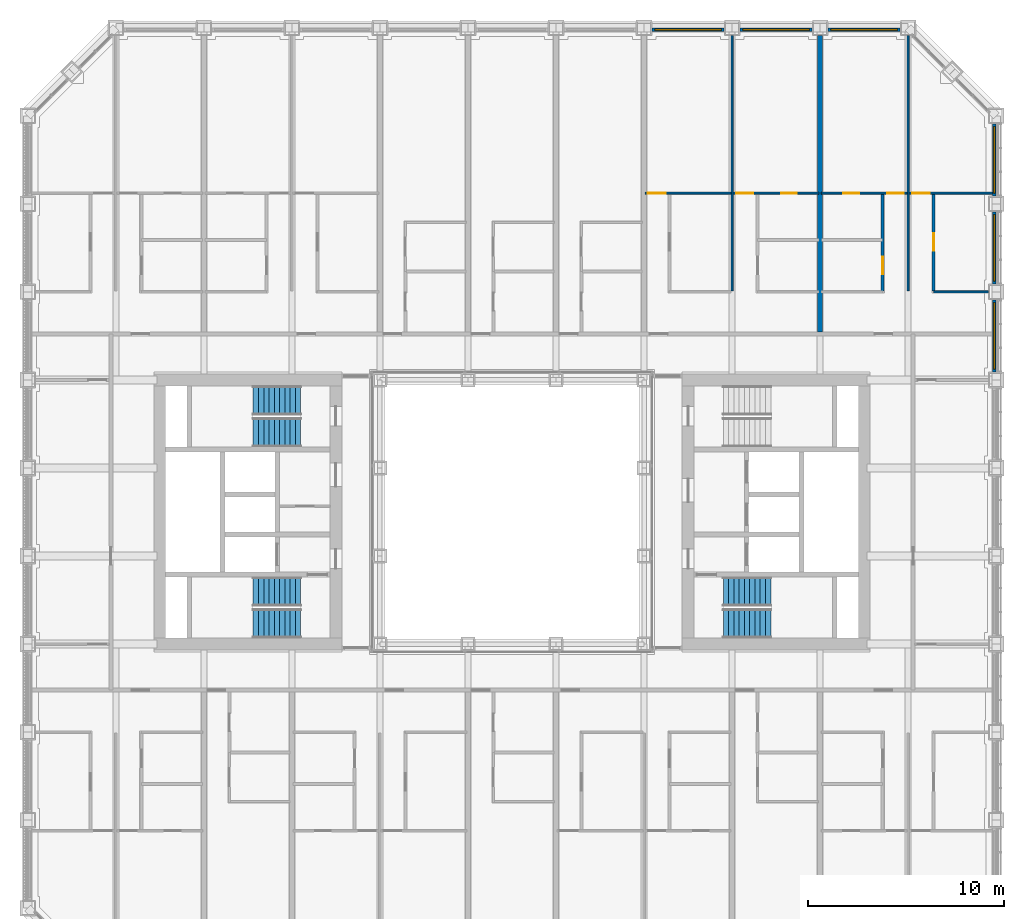
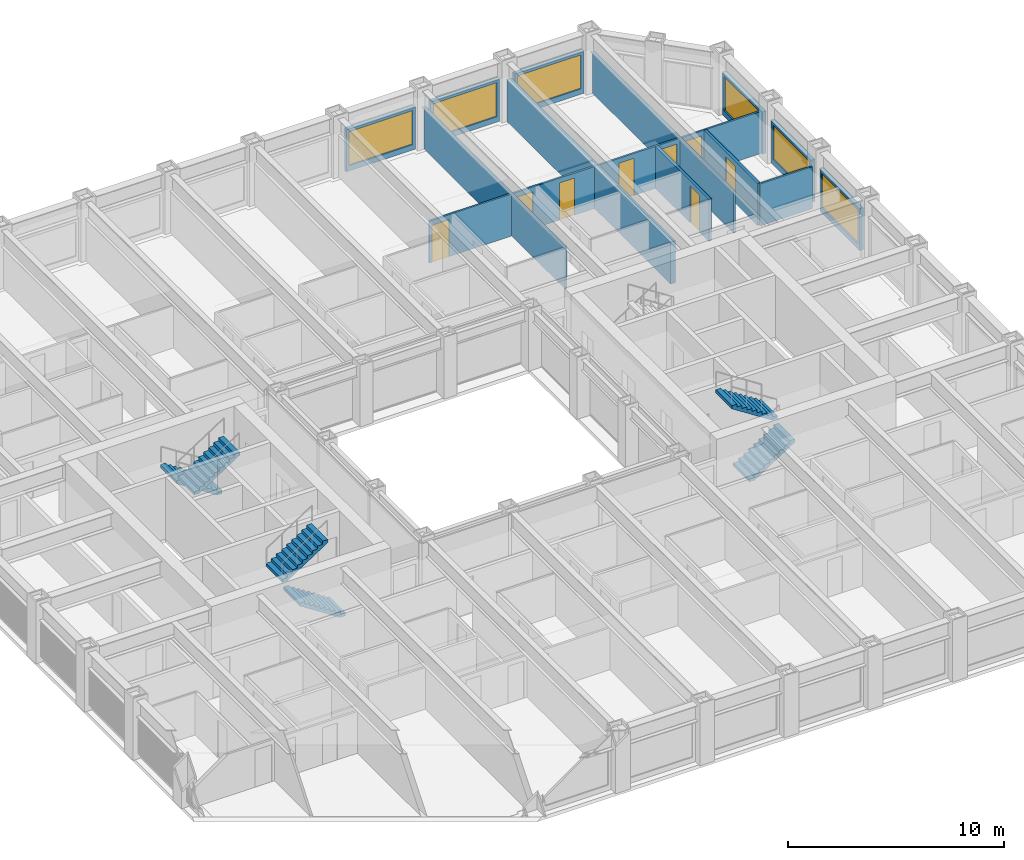
# One storey, part 15 of 21: 16 walls, 8 doors, 6 stair flights, 6 windows, 14 openings, 3 elements without a shape of their own.
"""IFC4 building model written with IfcOpenShell, lengths in metres."""

from ifc_helpers import new_model, si_unit, direction, frame, frame_2d, origin, place, context, subcontext, project, spatial, polyline, rectangle, outline, extrude, material, layer, layer_set, type_object, element, fill, aggregate, save


model = new_model("IFC4")

# Units and contexts
model_context = context("Model", 3, precision=1e-05, world=origin(), true_north=direction((0.0, 1.0)))
body_context = subcontext(model_context, "Body", "Model", "MODEL_VIEW")
ifc_project = project(units=[si_unit("LENGTHUNIT", "METRE"), si_unit("AREAUNIT", "SQUARE_METRE"), si_unit("VOLUMEUNIT", "CUBIC_METRE"), si_unit("PLANEANGLEUNIT", "RADIAN"), si_unit("MASSUNIT", "GRAM", prefix="KILO")], contexts=[model_context])

# Site, building, storey
site_placement = place(None, origin())
site = spatial("IfcSite", under=ifc_project, at=site_placement, CompositionType="ELEMENT")
building_placement = place(site_placement, origin())
building = spatial("IfcBuilding", under=site, at=building_placement, Name="Msasa Ring Tower", CompositionType="ELEMENT")
storey_placement = place(building_placement, frame((0.0, 0.0, 44.0)))
storey = spatial("IfcBuildingStorey", under=building, at=storey_placement, Name="L10", CompositionType="ELEMENT", Elevation=44.0)

# Wall, opening, window
ifc_material_1 = material(Name="Terracotta rainscreen on blockwork", Category="masonry")
ifc_layer_1 = layer(ifc_material_1, 0.199951171875)
ifc_layer_set_1 = layer_set([ifc_layer_1], Name="FW1 TERRACOTTA-LINED INFILL BAY WALL 200")
wall_type_1 = type_object("IfcWallType", Name="FW1 TERRACOTTA-LINED INFILL BAY WALL 200", PredefinedType="SOLIDWALL", material=ifc_layer_set_1)
wall_1_placement = place(storey_placement, frame((24.64990234375, 7.155029296875, 0.0), z_axis=(0.0, 0.0, 1.0), x_axis=(0.0, 1.0, 0.0)))
wall_1 = element("IfcWall", 1, at=wall_1_placement, inside=storey, type_object=wall_type_1, Name="Infill bay wall E L10 17", PredefinedType="SOLIDWALL", context=body_context, shape_type="SweptSolid", body=[
    extrude(rectangle(XDim=3.68994140625, YDim=0.199951171875, at=frame_2d((1.844970703125, 0.0))), origin(), (0.0, 0.0, 1.0), 2.37890625),
])
opening_1_placement = place(wall_1_placement, frame((0.14501953125, 0.0, 0.300048828125)))
opening_1 = element("IfcOpeningElement", 2, at=opening_1_placement, cuts=wall_1, Name="Opening WN1", PredefinedType="OPENING", context=body_context, shape_type="SweptSolid", body=[
    extrude(rectangle(XDim=3.39990234375, YDim=1.928955078125, at=frame_2d((1.699951171875, 0.96435546875))), frame((0.0, 0.10986328125, 0.0), z_axis=(0.0, -1.0, 0.0), x_axis=(1.0, 0.0, 0.0)), (0.0, 0.0, 1.0), 0.219970703125),
])
ifc_material_2 = material(Name="Aluminium frame with clear glass", Category="aluminium")
window_type = type_object("IfcWindowType", Name="WN1 RESIDENCE WINDOW 3400x1929", PartitioningType="SINGLE_PANEL", PredefinedType="WINDOW", material=ifc_material_2)
window_1_placement = place(opening_1_placement, origin())
window_1 = element("IfcWindow", 3, at=window_1_placement, inside=storey, type_object=window_type, Name="Window E L10 17", OverallHeight=1.928955078125, OverallWidth=3.39990234375, PartitioningType="SINGLE_PANEL", PredefinedType="WINDOW", context=body_context, shape_type="SweptSolid", body=[
    extrude(rectangle(XDim=3.39990234375, YDim=1.928955078125, at=frame_2d((1.699951171875, 0.96435546875))), frame((0.0, 0.030029296875, 0.0), z_axis=(0.0, -1.0, 0.0), x_axis=(1.0, 0.0, 0.0)), (0.0, 0.0, 1.0), 0.06005859375),
])
fill(opening_1, window_1)

wall_2_placement = place(storey_placement, frame((24.64990234375, 11.655029296875, 0.0), z_axis=(0.0, 0.0, 1.0), x_axis=(0.0, 1.0, 0.0)))
wall_2 = element("IfcWall", 4, at=wall_2_placement, inside=storey, type_object=wall_type_1, Name="Infill bay wall E L10 18", PredefinedType="SOLIDWALL", context=body_context, shape_type="SweptSolid", body=[
    extrude(rectangle(XDim=3.68994140625, YDim=0.199951171875, at=frame_2d((1.844970703125, 0.0))), origin(), (0.0, 0.0, 1.0), 2.37890625),
])
opening_2_placement = place(wall_2_placement, frame((0.14501953125, 0.0, 0.300048828125)))
opening_2 = element("IfcOpeningElement", 5, at=opening_2_placement, cuts=wall_2, Name="Opening WN1", PredefinedType="OPENING", context=body_context, shape_type="SweptSolid", body=[
    extrude(rectangle(XDim=3.39990234375, YDim=1.928955078125, at=frame_2d((1.699951171875, 0.96435546875))), frame((0.0, 0.10986328125, 0.0), z_axis=(0.0, -1.0, 0.0), x_axis=(1.0, 0.0, 0.0)), (0.0, 0.0, 1.0), 0.219970703125),
])
window_2_placement = place(opening_2_placement, origin())
window_2 = element("IfcWindow", 6, at=window_2_placement, inside=storey, type_object=window_type, Name="Window E L10 18", OverallHeight=1.928955078125, OverallWidth=3.39990234375, PartitioningType="SINGLE_PANEL", PredefinedType="WINDOW", context=body_context, shape_type="SweptSolid", body=[
    extrude(rectangle(XDim=3.39990234375, YDim=1.928955078125, at=frame_2d((1.699951171875, 0.96435546875))), frame((0.0, 0.030029296875, 0.0), z_axis=(0.0, -1.0, 0.0), x_axis=(1.0, 0.0, 0.0)), (0.0, 0.0, 1.0), 0.06005859375),
])
fill(opening_2, window_2)

wall_3_placement = place(storey_placement, frame((24.64990234375, 16.155029296875, 0.0), z_axis=(0.0, 0.0, 1.0), x_axis=(0.0, 1.0, 0.0)))
wall_3 = element("IfcWall", 7, at=wall_3_placement, inside=storey, type_object=wall_type_1, Name="Infill bay wall E L10 19", PredefinedType="SOLIDWALL", context=body_context, shape_type="SweptSolid", body=[
    extrude(rectangle(XDim=3.68994140625, YDim=0.199951171875, at=frame_2d((1.844970703125, 0.0))), origin(), (0.0, 0.0, 1.0), 2.37890625),
])
opening_3_placement = place(wall_3_placement, frame((0.14501953125, 0.0, 0.300048828125)))
opening_3 = element("IfcOpeningElement", 8, at=opening_3_placement, cuts=wall_3, Name="Opening WN1", PredefinedType="OPENING", context=body_context, shape_type="SweptSolid", body=[
    extrude(rectangle(XDim=3.39990234375, YDim=1.928955078125, at=frame_2d((1.699951171875, 0.96435546875))), frame((0.0, 0.10986328125, 0.0), z_axis=(0.0, -1.0, 0.0), x_axis=(1.0, 0.0, 0.0)), (0.0, 0.0, 1.0), 0.219970703125),
])
window_3_placement = place(opening_3_placement, origin())
window_3 = element("IfcWindow", 9, at=window_3_placement, inside=storey, type_object=window_type, Name="Window E L10 19", OverallHeight=1.928955078125, OverallWidth=3.39990234375, PartitioningType="SINGLE_PANEL", PredefinedType="WINDOW", context=body_context, shape_type="SweptSolid", body=[
    extrude(rectangle(XDim=3.39990234375, YDim=1.928955078125, at=frame_2d((1.699951171875, 0.96435546875))), frame((0.0, 0.030029296875, 0.0), z_axis=(0.0, -1.0, 0.0), x_axis=(1.0, 0.0, 0.0)), (0.0, 0.0, 1.0), 0.06005859375),
])
fill(opening_3, window_3)

wall_4_placement = place(storey_placement, frame((7.155029296875, 24.64990234375, 0.0), z_axis=(0.0, 0.0, 1.0), x_axis=(1.0, 0.0, 0.0)))
wall_4 = element("IfcWall", 10, at=wall_4_placement, inside=storey, type_object=wall_type_1, Name="Infill bay wall N L10 28", PredefinedType="SOLIDWALL", context=body_context, shape_type="SweptSolid", body=[
    extrude(rectangle(XDim=3.68994140625, YDim=0.199951171875, at=frame_2d((1.844970703125, 0.0))), origin(), (0.0, 0.0, 1.0), 2.37890625),
])
opening_4_placement = place(wall_4_placement, frame((0.14501953125, 0.0, 0.300048828125)))
opening_4 = element("IfcOpeningElement", 11, at=opening_4_placement, cuts=wall_4, Name="Opening WN1", PredefinedType="OPENING", context=body_context, shape_type="SweptSolid", body=[
    extrude(rectangle(XDim=3.39990234375, YDim=1.928955078125, at=frame_2d((1.699951171875, 0.96435546875))), frame((0.0, 0.10986328125, 0.0), z_axis=(0.0, -1.0, 0.0), x_axis=(1.0, 0.0, 0.0)), (0.0, 0.0, 1.0), 0.219970703125),
])
window_4_placement = place(opening_4_placement, origin())
window_4 = element("IfcWindow", 12, at=window_4_placement, inside=storey, type_object=window_type, Name="Window N L10 28", OverallHeight=1.928955078125, OverallWidth=3.39990234375, PartitioningType="SINGLE_PANEL", PredefinedType="WINDOW", context=body_context, shape_type="SweptSolid", body=[
    extrude(rectangle(XDim=3.39990234375, YDim=1.928955078125, at=frame_2d((1.699951171875, 0.96435546875))), frame((0.0, 0.030029296875, 0.0), z_axis=(0.0, -1.0, 0.0), x_axis=(1.0, 0.0, 0.0)), (0.0, 0.0, 1.0), 0.06005859375),
])
fill(opening_4, window_4)

wall_5_placement = place(storey_placement, frame((11.655029296875, 24.64990234375, 0.0), z_axis=(0.0, 0.0, 1.0), x_axis=(1.0, 0.0, 0.0)))
wall_5 = element("IfcWall", 13, at=wall_5_placement, inside=storey, type_object=wall_type_1, Name="Infill bay wall N L10 29", PredefinedType="SOLIDWALL", context=body_context, shape_type="SweptSolid", body=[
    extrude(rectangle(XDim=3.68994140625, YDim=0.199951171875, at=frame_2d((1.844970703125, 0.0))), origin(), (0.0, 0.0, 1.0), 2.37890625),
])
opening_5_placement = place(wall_5_placement, frame((0.14501953125, 0.0, 0.300048828125)))
opening_5 = element("IfcOpeningElement", 14, at=opening_5_placement, cuts=wall_5, Name="Opening WN1", PredefinedType="OPENING", context=body_context, shape_type="SweptSolid", body=[
    extrude(rectangle(XDim=3.39990234375, YDim=1.928955078125, at=frame_2d((1.699951171875, 0.96435546875))), frame((0.0, 0.10986328125, 0.0), z_axis=(0.0, -1.0, 0.0), x_axis=(1.0, 0.0, 0.0)), (0.0, 0.0, 1.0), 0.219970703125),
])
window_5_placement = place(opening_5_placement, origin())
window_5 = element("IfcWindow", 15, at=window_5_placement, inside=storey, type_object=window_type, Name="Window N L10 29", OverallHeight=1.928955078125, OverallWidth=3.39990234375, PartitioningType="SINGLE_PANEL", PredefinedType="WINDOW", context=body_context, shape_type="SweptSolid", body=[
    extrude(rectangle(XDim=3.39990234375, YDim=1.928955078125, at=frame_2d((1.699951171875, 0.96435546875))), frame((0.0, 0.030029296875, 0.0), z_axis=(0.0, -1.0, 0.0), x_axis=(1.0, 0.0, 0.0)), (0.0, 0.0, 1.0), 0.06005859375),
])
fill(opening_5, window_5)

wall_6_placement = place(storey_placement, frame((16.155029296875, 24.64990234375, 0.0), z_axis=(0.0, 0.0, 1.0), x_axis=(1.0, 0.0, 0.0)))
wall_6 = element("IfcWall", 16, at=wall_6_placement, inside=storey, type_object=wall_type_1, Name="Infill bay wall N L10 30", PredefinedType="SOLIDWALL", context=body_context, shape_type="SweptSolid", body=[
    extrude(rectangle(XDim=3.68994140625, YDim=0.199951171875, at=frame_2d((1.844970703125, 0.0))), origin(), (0.0, 0.0, 1.0), 2.37890625),
])
opening_6_placement = place(wall_6_placement, frame((0.14501953125, 0.0, 0.300048828125)))
opening_6 = element("IfcOpeningElement", 17, at=opening_6_placement, cuts=wall_6, Name="Opening WN1", PredefinedType="OPENING", context=body_context, shape_type="SweptSolid", body=[
    extrude(rectangle(XDim=3.39990234375, YDim=1.928955078125, at=frame_2d((1.699951171875, 0.96435546875))), frame((0.0, 0.10986328125, 0.0), z_axis=(0.0, -1.0, 0.0), x_axis=(1.0, 0.0, 0.0)), (0.0, 0.0, 1.0), 0.219970703125),
])
window_6_placement = place(opening_6_placement, origin())
window_6 = element("IfcWindow", 18, at=window_6_placement, inside=storey, type_object=window_type, Name="Window N L10 30", OverallHeight=1.928955078125, OverallWidth=3.39990234375, PartitioningType="SINGLE_PANEL", PredefinedType="WINDOW", context=body_context, shape_type="SweptSolid", body=[
    extrude(rectangle(XDim=3.39990234375, YDim=1.928955078125, at=frame_2d((1.699951171875, 0.96435546875))), frame((0.0, 0.030029296875, 0.0), z_axis=(0.0, -1.0, 0.0), x_axis=(1.0, 0.0, 0.0)), (0.0, 0.0, 1.0), 0.06005859375),
])
fill(opening_6, window_6)

# Wall, opening, door
ifc_material_3 = material(Name="Gypsum board on steel studs", Category="steel")
ifc_layer_2 = layer(ifc_material_3, 0.10009765625)
ifc_layer_set_2 = layer_set([ifc_layer_2], Name="PT2 STUD PARTITION 100")
wall_type_2 = type_object("IfcWallType", Name="PT2 STUD PARTITION 100", PredefinedType="PARTITIONING", material=ifc_layer_set_2)
wall_7_placement = place(storey_placement, frame((6.81005859375, 16.300048828125, 0.0), z_axis=(0.0, 0.0, 1.0), x_axis=(1.0, 0.0, 0.0)))
wall_7 = element("IfcWall", 19, at=wall_7_placement, inside=storey, type_object=wall_type_2, Name="Partition L10-UN05SY0", PredefinedType="PARTITIONING", context=body_context, shape_type="SweptSolid", body=[
    extrude(rectangle(XDim=4.389892578125, YDim=0.10009765625, at=frame_2d((2.19482421875, 0.0))), origin(), (0.0, 0.0, 1.0), 2.373291015625),
])
opening_7_placement = place(wall_7_placement, frame((0.139892578125, 0.0, 0.0)))
opening_7 = element("IfcOpeningElement", 20, at=opening_7_placement, cuts=wall_7, Name="Opening RB-007", PredefinedType="OPENING", context=body_context, shape_type="SweptSolid", body=[
    extrude(rectangle(XDim=0.89990234375, YDim=2.10009765625, at=frame_2d((0.449951171875, 1.050048828125))), frame((0.0, 0.06005859375, 0.0), z_axis=(0.0, -1.0, 0.0), x_axis=(1.0, 0.0, 0.0)), (0.0, 0.0, 1.0), 0.1201171875),
])
ifc_material_4 = material(Name="Timber door leaf in a steel frame", Category="steel")
door_type_1 = type_object("IfcDoorType", Name="D22 INTERNAL HALL DOOR 900x2100", OperationType="SINGLE_SWING_LEFT", PredefinedType="DOOR", material=ifc_material_4)
door_1_placement = place(opening_7_placement, origin())
door_1 = element("IfcDoor", 21, at=door_1_placement, inside=storey, type_object=door_type_1, Name="Door L10-UN05L", OperationType="SINGLE_SWING_LEFT", OverallHeight=2.10009765625, OverallWidth=0.89990234375, PredefinedType="DOOR", context=body_context, shape_type="SweptSolid", body=[
    extrude(rectangle(XDim=0.89990234375, YDim=2.10009765625, at=frame_2d((0.449951171875, 1.050048828125))), frame((0.0, 0.02490234375, 0.0), z_axis=(0.0, -1.0, 0.0), x_axis=(1.0, 0.0, 0.0)), (0.0, 0.0, 1.0), 0.050048828125),
])
fill(opening_7, door_1)

# Wall
wall_8_placement = place(storey_placement, frame((11.25, 11.300048828125, 0.0), z_axis=(0.0, 0.0, 1.0), x_axis=(0.0, 1.0, 0.0)))
element("IfcWall", 22, at=wall_8_placement, inside=storey, type_object=wall_type_2, Name="Partition L10-UN05P1", PredefinedType="PARTITIONING", context=body_context, shape_type="SweptSolid", body=[
    extrude(rectangle(XDim=13.050048828125, YDim=0.10009765625, at=frame_2d((6.52490234375, 0.0))), origin(), (0.0, 0.0, 1.0), 2.373291015625),
])

# Wall, openings, doors
wall_9_placement = place(storey_placement, frame((11.300048828125, 16.300048828125, 0.0), z_axis=(0.0, 0.0, 1.0), x_axis=(1.0, 0.0, 0.0)))
wall_9 = element("IfcWall", 23, at=wall_9_placement, inside=storey, type_object=wall_type_2, Name="Partition L10-UN05SY1", PredefinedType="PARTITIONING", context=body_context, shape_type="SweptSolid", body=[
    extrude(rectangle(XDim=4.389892578125, YDim=0.10009765625, at=frame_2d((2.19482421875, 0.0))), origin(), (0.0, 0.0, 1.0), 2.373291015625),
])
opening_8_placement = place(wall_9_placement, frame((0.175048828125, 0.0, 0.0)))
opening_8 = element("IfcOpeningElement", 24, at=opening_8_placement, cuts=wall_9, Name="Opening RB-008", PredefinedType="OPENING", context=body_context, shape_type="SweptSolid", body=[
    extrude(rectangle(XDim=0.85009765625, YDim=2.10009765625, at=frame_2d((0.425048828125, 1.050048828125))), frame((0.0, 0.06005859375, 0.0), z_axis=(0.0, -1.0, 0.0), x_axis=(1.0, 0.0, 0.0)), (0.0, 0.0, 1.0), 0.1201171875),
])
opening_9_placement = place(wall_9_placement, frame((2.4599609375, 0.0, 0.0)))
opening_9 = element("IfcOpeningElement", 25, at=opening_9_placement, cuts=wall_9, Name="Opening RB-009", PredefinedType="OPENING", context=body_context, shape_type="SweptSolid", body=[
    extrude(rectangle(XDim=0.800048828125, YDim=2.10009765625, at=frame_2d((0.39990234375, 1.050048828125))), frame((0.0, 0.06005859375, 0.0), z_axis=(0.0, -1.0, 0.0), x_axis=(1.0, 0.0, 0.0)), (0.0, 0.0, 1.0), 0.1201171875),
])
ifc_material_5 = material(Name="Timber door leaf in a steel frame", Category="steel")
door_type_2 = type_object("IfcDoorType", Name="D14 BEDROOM DOOR 850x2100", OperationType="SINGLE_SWING_LEFT", PredefinedType="DOOR", material=ifc_material_5)
door_2_placement = place(opening_8_placement, origin())
door_2 = element("IfcDoor", 26, at=door_2_placement, inside=storey, type_object=door_type_2, Name="Door L10-UN05R1", OperationType="SINGLE_SWING_LEFT", OverallHeight=2.10009765625, OverallWidth=0.85009765625, PredefinedType="DOOR", context=body_context, shape_type="SweptSolid", body=[
    extrude(rectangle(XDim=0.85009765625, YDim=2.10009765625, at=frame_2d((0.425048828125, 1.050048828125))), frame((0.0, 0.02490234375, 0.0), z_axis=(0.0, -1.0, 0.0), x_axis=(1.0, 0.0, 0.0)), (0.0, 0.0, 1.0), 0.050048828125),
])
fill(opening_8, door_2)
ifc_material_6 = material(Name="Timber door leaf in a steel frame", Category="steel")
door_type_3 = type_object("IfcDoorType", Name="D60 DRESSING ROOM DOOR 800x2100", OperationType="SINGLE_SWING_LEFT", PredefinedType="DOOR", material=ifc_material_6)
door_3_placement = place(opening_9_placement, origin())
door_3 = element("IfcDoor", 27, at=door_3_placement, inside=storey, type_object=door_type_3, Name="Door L10-UN05W1", OperationType="SINGLE_SWING_RIGHT", OverallHeight=2.10009765625, OverallWidth=0.800048828125, PredefinedType="DOOR", context=body_context, shape_type="SweptSolid", body=[
    extrude(rectangle(XDim=0.800048828125, YDim=2.10009765625, at=frame_2d((0.39990234375, 1.050048828125))), frame((0.0, 0.02490234375, 0.0), z_axis=(0.0, -1.0, 0.0), x_axis=(1.0, 0.0, 0.0)), (0.0, 0.0, 1.0), 0.050048828125),
])
fill(opening_9, door_3)

# Wall
wall_10_placement = place(storey_placement, frame((21.550048828125, 11.25, 0.0), z_axis=(0.0, 0.0, 1.0), x_axis=(1.0, 0.0, 0.0)))
element("IfcWall", 28, at=wall_10_placement, inside=storey, type_object=wall_type_2, Name="Partition L10-UN06HY0", PredefinedType="PARTITIONING", context=body_context, shape_type="SweptSolid", body=[
    extrude(rectangle(XDim=2.800048828125, YDim=0.10009765625, at=frame_2d((1.39990234375, 0.0))), origin(), (0.0, 0.0, 1.0), 2.373291015625),
])

# Wall, opening, door
wall_11_placement = place(storey_placement, frame((20.300048828125, 16.300048828125, 0.0), z_axis=(0.0, 0.0, 1.0), x_axis=(1.0, 0.0, 0.0)))
wall_11 = element("IfcWall", 29, at=wall_11_placement, inside=storey, type_object=wall_type_2, Name="Partition L10-UN06SY0", PredefinedType="PARTITIONING", context=body_context, shape_type="SweptSolid", body=[
    extrude(rectangle(XDim=4.25, YDim=0.10009765625, at=frame_2d((2.125, 0.0))), origin(), (0.0, 0.0, 1.0), 2.373291015625),
])
opening_10_placement = place(wall_11_placement, frame((0.14990234375, 0.0, 0.0)))
opening_10 = element("IfcOpeningElement", 30, at=opening_10_placement, cuts=wall_11, Name="Opening RB-012", PredefinedType="OPENING", context=body_context, shape_type="SweptSolid", body=[
    extrude(rectangle(XDim=0.89990234375, YDim=2.10009765625, at=frame_2d((0.449951171875, 1.050048828125))), frame((0.0, 0.06005859375, 0.0), z_axis=(0.0, -1.0, 0.0), x_axis=(1.0, 0.0, 0.0)), (0.0, 0.0, 1.0), 0.1201171875),
])
door_4_placement = place(opening_10_placement, origin())
door_4 = element("IfcDoor", 31, at=door_4_placement, inside=storey, type_object=door_type_1, Name="Door L10-UN06L", OperationType="SINGLE_SWING_LEFT", OverallHeight=2.10009765625, OverallWidth=0.89990234375, PredefinedType="DOOR", context=body_context, shape_type="SweptSolid", body=[
    extrude(rectangle(XDim=0.89990234375, YDim=2.10009765625, at=frame_2d((0.449951171875, 1.050048828125))), frame((0.0, 0.02490234375, 0.0), z_axis=(0.0, -1.0, 0.0), x_axis=(1.0, 0.0, 0.0)), (0.0, 0.0, 1.0), 0.050048828125),
])
fill(opening_10, door_4)

# Wall
wall_12_placement = place(storey_placement, frame((20.25, 11.300048828125, 0.0), z_axis=(0.0, 0.0, 1.0), x_axis=(0.0, 1.0, 0.0)))
element("IfcWall", 32, at=wall_12_placement, inside=storey, type_object=wall_type_2, Name="Partition L10-UN06P1", PredefinedType="PARTITIONING", context=body_context, shape_type="SweptSolid", body=[
    extrude(rectangle(XDim=13.050048828125, YDim=0.10009765625, at=frame_2d((6.52490234375, 0.0))), origin(), (0.0, 0.0, 1.0), 2.373291015625),
])

# Wall, openings, doors
wall_13_placement = place(storey_placement, frame((15.81005859375, 16.300048828125, 0.0), z_axis=(0.0, 0.0, 1.0), x_axis=(1.0, 0.0, 0.0)))
wall_13 = element("IfcWall", 33, at=wall_13_placement, inside=storey, type_object=wall_type_2, Name="Partition L10-UN06SY1", PredefinedType="PARTITIONING", context=body_context, shape_type="SweptSolid", body=[
    extrude(rectangle(XDim=4.389892578125, YDim=0.10009765625, at=frame_2d((2.19482421875, 0.0))), origin(), (0.0, 0.0, 1.0), 2.373291015625),
])
opening_11_placement = place(wall_13_placement, frame((3.364990234375, 0.0, 0.0)))
opening_11 = element("IfcOpeningElement", 34, at=opening_11_placement, cuts=wall_13, Name="Opening RB-011", PredefinedType="OPENING", context=body_context, shape_type="SweptSolid", body=[
    extrude(rectangle(XDim=0.85009765625, YDim=2.10009765625, at=frame_2d((0.425048828125, 1.050048828125))), frame((0.0, 0.06005859375, 0.0), z_axis=(0.0, -1.0, 0.0), x_axis=(1.0, 0.0, 0.0)), (0.0, 0.0, 1.0), 0.1201171875),
])
opening_12_placement = place(wall_13_placement, frame((1.1298828125, 0.0, 0.0)))
opening_12 = element("IfcOpeningElement", 35, at=opening_12_placement, cuts=wall_13, Name="Opening RB-010", PredefinedType="OPENING", context=body_context, shape_type="SweptSolid", body=[
    extrude(rectangle(XDim=0.800048828125, YDim=2.10009765625, at=frame_2d((0.39990234375, 1.050048828125))), frame((0.0, 0.06005859375, 0.0), z_axis=(0.0, -1.0, 0.0), x_axis=(1.0, 0.0, 0.0)), (0.0, 0.0, 1.0), 0.1201171875),
])
door_5_placement = place(opening_11_placement, origin())
door_5 = element("IfcDoor", 36, at=door_5_placement, inside=storey, type_object=door_type_2, Name="Door L10-UN06R1", OperationType="SINGLE_SWING_RIGHT", OverallHeight=2.10009765625, OverallWidth=0.85009765625, PredefinedType="DOOR", context=body_context, shape_type="SweptSolid", body=[
    extrude(rectangle(XDim=0.85009765625, YDim=2.10009765625, at=frame_2d((0.425048828125, 1.050048828125))), frame((0.0, 0.02490234375, 0.0), z_axis=(0.0, -1.0, 0.0), x_axis=(1.0, 0.0, 0.0)), (0.0, 0.0, 1.0), 0.050048828125),
])
fill(opening_11, door_5)
door_6_placement = place(opening_12_placement, origin())
door_6 = element("IfcDoor", 37, at=door_6_placement, inside=storey, type_object=door_type_3, Name="Door L10-UN06W1", OperationType="SINGLE_SWING_LEFT", OverallHeight=2.10009765625, OverallWidth=0.800048828125, PredefinedType="DOOR", context=body_context, shape_type="SweptSolid", body=[
    extrude(rectangle(XDim=0.800048828125, YDim=2.10009765625, at=frame_2d((0.39990234375, 1.050048828125))), frame((0.0, 0.02490234375, 0.0), z_axis=(0.0, -1.0, 0.0), x_axis=(1.0, 0.0, 0.0)), (0.0, 0.0, 1.0), 0.050048828125),
])
fill(opening_12, door_6)

# Wall
ifc_material_7 = material(Name="Dense concrete blockwork, plastered both faces", Category="masonry")
ifc_layer_3 = layer(ifc_material_7, 0.25)
ifc_layer_set_3 = layer_set([ifc_layer_3], Name="PT3 APARTMENT SEPARATING WALL 250")
wall_type_3 = type_object("IfcWallType", Name="PT3 APARTMENT SEPARATING WALL 250", PredefinedType="PARTITIONING", material=ifc_layer_set_3)
wall_14_placement = place(storey_placement, frame((15.75, 9.199951171875, 0.0), z_axis=(0.0, 0.0, 1.0), x_axis=(0.0, 1.0, 0.0)))
element("IfcWall", 38, at=wall_14_placement, inside=storey, type_object=wall_type_3, Name="Party wall L10-PWN+15.75", PredefinedType="PARTITIONING", context=body_context, shape_type="SweptSolid", body=[
    extrude(rectangle(XDim=15.150146484375, YDim=0.25, at=frame_2d((7.5751953125, 0.0))), origin(), (0.0, 0.0, 1.0), 2.373291015625),
])

# Wall, opening, door
ifc_material_8 = material(Name="Moisture-resistant board on steel studs with a concealed cistern and pipe void, tiled", Category="steel")
ifc_layer_4 = layer(ifc_material_8, 0.14990234375)
ifc_layer_set_4 = layer_set([ifc_layer_4], Name="PT4 BATHROOM WET WALL 150")
wall_type_4 = type_object("IfcWallType", Name="PT4 BATHROOM WET WALL 150", PredefinedType="PARTITIONING", material=ifc_layer_set_4)
wall_15_placement = place(storey_placement, frame((21.550048828125, 11.300048828125, 0.0), z_axis=(0.0, 0.0, 1.0), x_axis=(0.0, 1.0, 0.0)))
wall_15 = element("IfcWall", 39, at=wall_15_placement, inside=storey, type_object=wall_type_4, Name="Partition L10-UN06SX0", PredefinedType="PARTITIONING", context=body_context, shape_type="SweptSolid", body=[
    extrude(rectangle(XDim=5.0, YDim=0.14990234375, at=frame_2d((2.5, 0.0))), origin(), (0.0, 0.0, 1.0), 2.373291015625),
])
opening_13_placement = place(wall_15_placement, frame((2.050048828125, 0.0, 0.0)))
opening_13 = element("IfcOpeningElement", 40, at=opening_13_placement, cuts=wall_15, Name="Opening RB-016", PredefinedType="OPENING", context=body_context, shape_type="SweptSolid", body=[
    extrude(rectangle(XDim=0.89990234375, YDim=2.10009765625, at=frame_2d((0.449951171875, 1.050048828125))), frame((0.0, 0.0849609375, 0.0), z_axis=(0.0, -1.0, 0.0), x_axis=(1.0, 0.0, 0.0)), (0.0, 0.0, 1.0), 0.169921875),
])
door_7_placement = place(opening_13_placement, origin())
door_7 = element("IfcDoor", 41, at=door_7_placement, inside=storey, type_object=door_type_1, Name="Door L10-UN06K", OperationType="SINGLE_SWING_LEFT", OverallHeight=2.10009765625, OverallWidth=0.89990234375, PredefinedType="DOOR", context=body_context, shape_type="SweptSolid", body=[
    extrude(rectangle(XDim=0.89990234375, YDim=2.10009765625, at=frame_2d((0.449951171875, 1.050048828125))), frame((0.0, 0.02490234375, 0.0), z_axis=(0.0, -1.0, 0.0), x_axis=(1.0, 0.0, 0.0)), (0.0, 0.0, 1.0), 0.050048828125),
])
fill(opening_13, door_7)

wall_16_placement = place(storey_placement, frame((18.949951171875, 11.300048828125, 0.0), z_axis=(0.0, 0.0, 1.0), x_axis=(0.0, 1.0, 0.0)))
wall_16 = element("IfcWall", 42, at=wall_16_placement, inside=storey, type_object=wall_type_4, Name="Partition L10-UN06SX1", PredefinedType="PARTITIONING", context=body_context, shape_type="SweptSolid", body=[
    extrude(rectangle(XDim=5.0, YDim=0.14990234375, at=frame_2d((2.5, 0.0))), origin(), (0.0, 0.0, 1.0), 2.373291015625),
])
opening_14_placement = place(wall_16_placement, frame((0.85009765625, 0.0, 0.0)))
opening_14 = element("IfcOpeningElement", 43, at=opening_14_placement, cuts=wall_16, Name="Opening RB-023", PredefinedType="OPENING", context=body_context, shape_type="SweptSolid", body=[
    extrude(rectangle(XDim=0.89990234375, YDim=2.10009765625, at=frame_2d((0.449951171875, 1.050048828125))), frame((0.0, 0.0849609375, 0.0), z_axis=(0.0, -1.0, 0.0), x_axis=(1.0, 0.0, 0.0)), (0.0, 0.0, 1.0), 0.169921875),
])
ifc_material_9 = material(Name="Timber door leaf in a steel frame", Category="steel")
door_type_4 = type_object("IfcDoorType", Name="D3 BATHROOM DOOR 900x2100", OperationType="SINGLE_SWING_LEFT", PredefinedType="DOOR", material=ifc_material_9)
door_8_placement = place(opening_14_placement, origin())
door_8 = element("IfcDoor", 44, at=door_8_placement, inside=storey, type_object=door_type_4, Name="Door L10-UN06B1", OperationType="SINGLE_SWING_LEFT", OverallHeight=2.10009765625, OverallWidth=0.89990234375, PredefinedType="DOOR", context=body_context, shape_type="SweptSolid", body=[
    extrude(rectangle(XDim=0.89990234375, YDim=2.10009765625, at=frame_2d((0.449951171875, 1.050048828125))), frame((0.0, 0.02490234375, 0.0), z_axis=(0.0, -1.0, 0.0), x_axis=(1.0, 0.0, 0.0)), (0.0, 0.0, 1.0), 0.050048828125),
])
fill(opening_14, door_8)

# Stair, stair flights
ifc_material_10 = material(Name="Concrete C40/50", Category="concrete")
stair_type = type_object("IfcStairType", Name="STC CORE STAIR 20 RISERS 175", PredefinedType="HALF_TURN_STAIR", material=ifc_material_10)
stair_1_placement = place(storey_placement, origin())
stair_1 = element("IfcStair", 45, at=stair_1_placement, inside=storey, type_object=stair_type, Name="Core stair SEA L10", PredefinedType="HALF_TURN_STAIR")
ifc_material_11 = material(Name="Concrete C40/50", Category="concrete")
stair_flight_type = type_object("IfcStairFlightType", Name="ST12 CORE STAIR FLIGHT 1500 10 RISERS 175", PredefinedType="STRAIGHT", material=ifc_material_11)
stair_flight_1_placement = place(storey_placement, frame((10.800048828125, -5.699951171875, 0.0), z_axis=(0.0, 0.0, 1.0), x_axis=(1.0, 0.0, 0.0)))
stair_flight_1 = element("IfcStairFlight", 46, at=stair_flight_1_placement, type_object=stair_flight_type, Name="SEA flight 1", NumberOfRisers=10, NumberOfTreads=9, PredefinedType="STRAIGHT", RiserHeight=0.175, TreadLength=0.27, context=body_context, shape_type="SweptSolid", body=[
    extrude(outline(polyline([(0.0, 0.0), (0.0, 0.175048828125), (0.27001953125, 0.175048828125), (0.27001953125, 0.35009765625), (0.5400390625, 0.35009765625), (0.5400390625, 0.52490234375), (0.81005859375, 0.52490234375), (0.81005859375, 0.699951171875), (1.080078125, 0.699951171875), (1.080078125, 0.875), (1.35009765625, 0.875), (1.35009765625, 1.050048828125), (1.6201171875, 1.050048828125), (1.6201171875, 1.22509765625), (1.889892578125, 1.22509765625), (1.889892578125, 1.39990234375), (2.159912109375, 1.39990234375), (2.159912109375, 1.574951171875), (2.429931640625, 1.574951171875), (2.429931640625, 1.75), (2.429931640625, 1.396484375), (0.275634765625, 0.0), (0.0, 0.0)])), frame((0.0, 0.75, 0.0), z_axis=(0.0, -1.0, 0.0), x_axis=(1.0, 0.0, 0.0)), (0.0, 0.0, 1.0), 1.5),
])
stair_flight_2_placement = place(storey_placement, frame((13.22998046875, -4.074951171875, 1.75), z_axis=(0.0, 0.0, 1.0), x_axis=(-1.0, 0.0, 0.0)))
stair_flight_2 = element("IfcStairFlight", 47, at=stair_flight_2_placement, type_object=stair_flight_type, Name="SEA flight 2", NumberOfRisers=10, NumberOfTreads=9, PredefinedType="STRAIGHT", RiserHeight=0.175, TreadLength=0.27, context=body_context, shape_type="SweptSolid", body=[
    extrude(outline(polyline([(0.0, 0.0), (0.0, 0.175048828125), (0.27001953125, 0.175048828125), (0.27001953125, 0.35009765625), (0.5400390625, 0.35009765625), (0.5400390625, 0.52490234375), (0.81005859375, 0.52490234375), (0.81005859375, 0.699951171875), (1.080078125, 0.699951171875), (1.080078125, 0.875), (1.35009765625, 0.875), (1.35009765625, 1.050048828125), (1.6201171875, 1.050048828125), (1.6201171875, 1.22509765625), (1.889892578125, 1.22509765625), (1.889892578125, 1.39990234375), (2.159912109375, 1.39990234375), (2.159912109375, 1.574951171875), (2.429931640625, 1.574951171875), (2.429931640625, 1.75), (2.429931640625, 1.396484375), (0.275634765625, 0.0), (0.0, 0.0)])), frame((0.0, 0.75, 0.0), z_axis=(0.0, -1.0, 0.0), x_axis=(1.0, 0.0, 0.0)), (0.0, 0.0, 1.0), 1.5),
])
aggregate(stair_1, [stair_flight_1, stair_flight_2])

stair_2_placement = place(storey_placement, origin())
stair_2 = element("IfcStair", 48, at=stair_2_placement, inside=storey, type_object=stair_type, Name="Core stair SWA L10", PredefinedType="HALF_TURN_STAIR")
stair_flight_3_placement = place(storey_placement, frame((-10.800048828125, -5.699951171875, 0.0), z_axis=(0.0, 0.0, 1.0), x_axis=(-1.0, 0.0, 0.0)))
stair_flight_3 = element("IfcStairFlight", 49, at=stair_flight_3_placement, type_object=stair_flight_type, Name="SWA flight 1", NumberOfRisers=10, NumberOfTreads=9, PredefinedType="STRAIGHT", RiserHeight=0.175, TreadLength=0.27, context=body_context, shape_type="SweptSolid", body=[
    extrude(outline(polyline([(0.0, 0.0), (0.0, 0.175048828125), (0.27001953125, 0.175048828125), (0.27001953125, 0.35009765625), (0.5400390625, 0.35009765625), (0.5400390625, 0.52490234375), (0.81005859375, 0.52490234375), (0.81005859375, 0.699951171875), (1.080078125, 0.699951171875), (1.080078125, 0.875), (1.35009765625, 0.875), (1.35009765625, 1.050048828125), (1.6201171875, 1.050048828125), (1.6201171875, 1.22509765625), (1.889892578125, 1.22509765625), (1.889892578125, 1.39990234375), (2.159912109375, 1.39990234375), (2.159912109375, 1.574951171875), (2.429931640625, 1.574951171875), (2.429931640625, 1.75), (2.429931640625, 1.396484375), (0.275634765625, 0.0), (0.0, 0.0)])), frame((0.0, 0.75, 0.0), z_axis=(0.0, -1.0, 0.0), x_axis=(1.0, 0.0, 0.0)), (0.0, 0.0, 1.0), 1.5),
])
stair_flight_4_placement = place(storey_placement, frame((-13.22998046875, -4.074951171875, 1.75), z_axis=(0.0, 0.0, 1.0), x_axis=(1.0, 0.0, 0.0)))
stair_flight_4 = element("IfcStairFlight", 50, at=stair_flight_4_placement, type_object=stair_flight_type, Name="SWA flight 2", NumberOfRisers=10, NumberOfTreads=9, PredefinedType="STRAIGHT", RiserHeight=0.175, TreadLength=0.27, context=body_context, shape_type="SweptSolid", body=[
    extrude(outline(polyline([(0.0, 0.0), (0.0, 0.175048828125), (0.27001953125, 0.175048828125), (0.27001953125, 0.35009765625), (0.5400390625, 0.35009765625), (0.5400390625, 0.52490234375), (0.81005859375, 0.52490234375), (0.81005859375, 0.699951171875), (1.080078125, 0.699951171875), (1.080078125, 0.875), (1.35009765625, 0.875), (1.35009765625, 1.050048828125), (1.6201171875, 1.050048828125), (1.6201171875, 1.22509765625), (1.889892578125, 1.22509765625), (1.889892578125, 1.39990234375), (2.159912109375, 1.39990234375), (2.159912109375, 1.574951171875), (2.429931640625, 1.574951171875), (2.429931640625, 1.75), (2.429931640625, 1.396484375), (0.275634765625, 0.0), (0.0, 0.0)])), frame((0.0, 0.75, 0.0), z_axis=(0.0, -1.0, 0.0), x_axis=(1.0, 0.0, 0.0)), (0.0, 0.0, 1.0), 1.5),
])
aggregate(stair_2, [stair_flight_3, stair_flight_4])

stair_3_placement = place(storey_placement, origin())
stair_3 = element("IfcStair", 51, at=stair_3_placement, inside=storey, type_object=stair_type, Name="Core stair SWB L10", PredefinedType="HALF_TURN_STAIR")
stair_flight_5_placement = place(storey_placement, frame((-10.800048828125, 5.699951171875, 0.0), z_axis=(0.0, 0.0, 1.0), x_axis=(-1.0, 0.0, 0.0)))
stair_flight_5 = element("IfcStairFlight", 52, at=stair_flight_5_placement, type_object=stair_flight_type, Name="SWB flight 1", NumberOfRisers=10, NumberOfTreads=9, PredefinedType="STRAIGHT", RiserHeight=0.175, TreadLength=0.27, context=body_context, shape_type="SweptSolid", body=[
    extrude(outline(polyline([(0.0, 0.0), (0.0, 0.175048828125), (0.27001953125, 0.175048828125), (0.27001953125, 0.35009765625), (0.5400390625, 0.35009765625), (0.5400390625, 0.52490234375), (0.81005859375, 0.52490234375), (0.81005859375, 0.699951171875), (1.080078125, 0.699951171875), (1.080078125, 0.875), (1.35009765625, 0.875), (1.35009765625, 1.050048828125), (1.6201171875, 1.050048828125), (1.6201171875, 1.22509765625), (1.889892578125, 1.22509765625), (1.889892578125, 1.39990234375), (2.159912109375, 1.39990234375), (2.159912109375, 1.574951171875), (2.429931640625, 1.574951171875), (2.429931640625, 1.75), (2.429931640625, 1.396484375), (0.275634765625, 0.0), (0.0, 0.0)])), frame((0.0, 0.75, 0.0), z_axis=(0.0, -1.0, 0.0), x_axis=(1.0, 0.0, 0.0)), (0.0, 0.0, 1.0), 1.5),
])
stair_flight_6_placement = place(storey_placement, frame((-13.22998046875, 4.074951171875, 1.75), z_axis=(0.0, 0.0, 1.0), x_axis=(1.0, 0.0, 0.0)))
stair_flight_6 = element("IfcStairFlight", 53, at=stair_flight_6_placement, type_object=stair_flight_type, Name="SWB flight 2", NumberOfRisers=10, NumberOfTreads=9, PredefinedType="STRAIGHT", RiserHeight=0.175, TreadLength=0.27, context=body_context, shape_type="SweptSolid", body=[
    extrude(outline(polyline([(0.0, 0.0), (0.0, 0.175048828125), (0.27001953125, 0.175048828125), (0.27001953125, 0.35009765625), (0.5400390625, 0.35009765625), (0.5400390625, 0.52490234375), (0.81005859375, 0.52490234375), (0.81005859375, 0.699951171875), (1.080078125, 0.699951171875), (1.080078125, 0.875), (1.35009765625, 0.875), (1.35009765625, 1.050048828125), (1.6201171875, 1.050048828125), (1.6201171875, 1.22509765625), (1.889892578125, 1.22509765625), (1.889892578125, 1.39990234375), (2.159912109375, 1.39990234375), (2.159912109375, 1.574951171875), (2.429931640625, 1.574951171875), (2.429931640625, 1.75), (2.429931640625, 1.396484375), (0.275634765625, 0.0), (0.0, 0.0)])), frame((0.0, 0.75, 0.0), z_axis=(0.0, -1.0, 0.0), x_axis=(1.0, 0.0, 0.0)), (0.0, 0.0, 1.0), 1.5),
])
aggregate(stair_3, [stair_flight_5, stair_flight_6])

save(model, "model.ifc")
